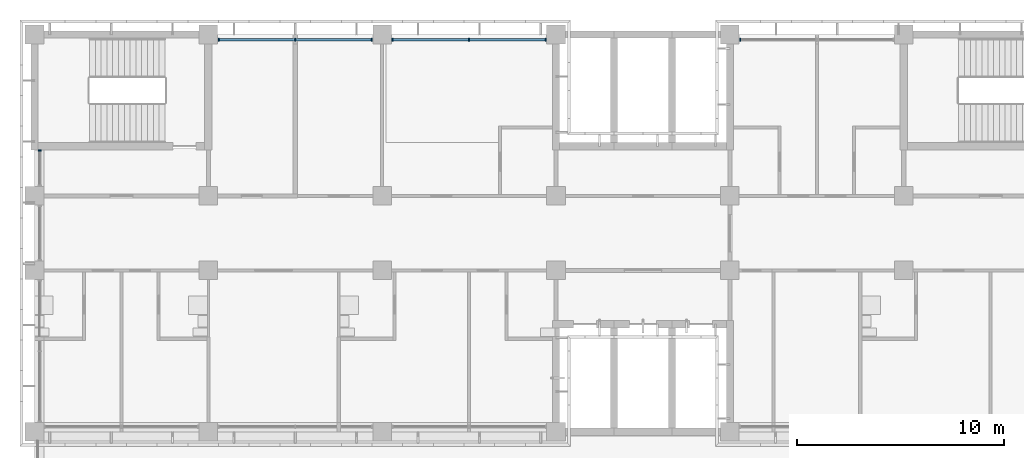
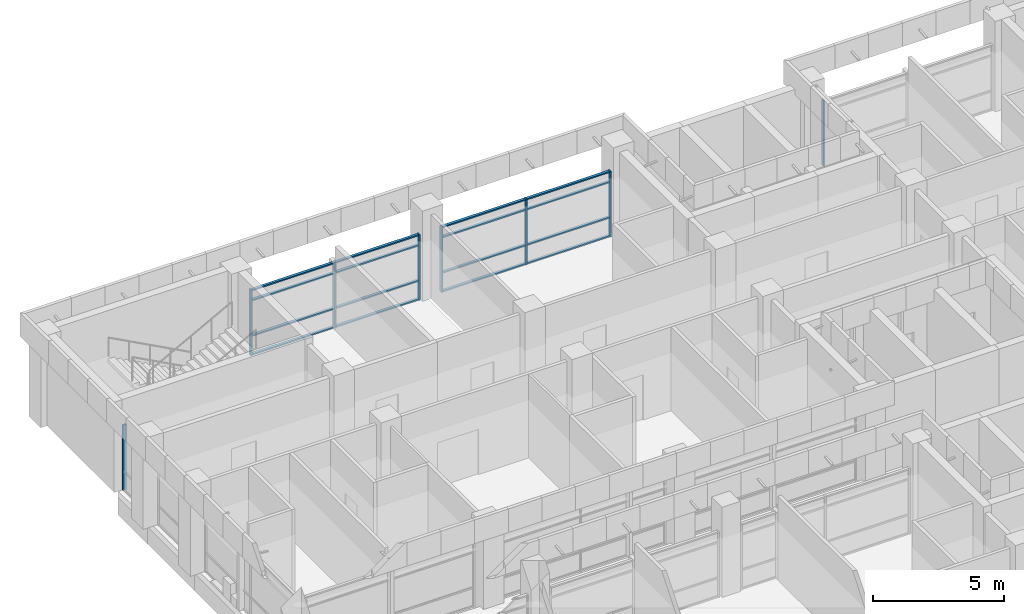
# One storey, part 42 of 137: 24 members, 4 elements without a shape of their own.
"""IFC4 building model written with IfcOpenShell, lengths in metres."""

from ifc_helpers import new_model, si_unit, direction, frame, origin, origin_2d, place, context, subcontext, project, spatial, rectangle, extrude, material, material_profile, profile_set, type_object, element, aggregate, save


model = new_model("IFC4")

# Units and contexts
model_context = context("Model", 3, precision=1e-05, world=origin(), true_north=direction((0.0, 1.0)))
body_context = subcontext(model_context, "Body", "Model", "MODEL_VIEW")
ifc_project = project(units=[si_unit("LENGTHUNIT", "METRE"), si_unit("AREAUNIT", "SQUARE_METRE"), si_unit("VOLUMEUNIT", "CUBIC_METRE"), si_unit("PLANEANGLEUNIT", "RADIAN"), si_unit("MASSUNIT", "GRAM", prefix="KILO")], contexts=[model_context])

# Site, building, storey
site_placement = place(None, origin())
site = spatial("IfcSite", under=ifc_project, at=site_placement, CompositionType="ELEMENT")
building_placement = place(site_placement, origin())
building = spatial("IfcBuilding", under=site, at=building_placement, Name="Bougainvillea Quay General Hospital", CompositionType="ELEMENT")
storey_placement = place(building_placement, frame((0.0, 0.0, 16.800048828125)))
storey = spatial("IfcBuildingStorey", under=building, at=storey_placement, Name="L03", CompositionType="ELEMENT", Elevation=16.800048828125)

# Curtain wall, member
ifc_material_1 = material(Name="Aluminium curtain wall system, powder-coated glazed", Category="aluminium")
curtain_wall_type_1 = type_object("IfcCurtainWallType", Name="Unitised curtain wall CW-3730", PredefinedType="NOTDEFINED", material=ifc_material_1)
curtain_wall_1_placement = place(storey_placement, origin())
curtain_wall_1 = element("IfcCurtainWall", 1, at=curtain_wall_1_placement, inside=storey, type_object=curtain_wall_type_1, Name="CW-4200 05", PredefinedType="NOTDEFINED")
ifc_material_2 = material(Name="Aluminium mullion, powder-coated charcoal", Category="aluminium")
ifc_material_profile_1 = material_profile(ifc_material_2, rectangle(XDim=0.159912109375, YDim=0.06005859375, at=origin_2d()))
ifc_profile_set_1 = profile_set([ifc_material_profile_1], Name="Aluminium mullion, powder-coated charcoal")
member_type_1 = type_object("IfcMemberType", Name="Curtain wall mullion 160x60", PredefinedType="MULLION", material=ifc_profile_set_1)
member_1_placement = place(storey_placement, frame((76.10009765625, 159.35009765625, 0.0), z_axis=(0.0, 0.0, 1.0), x_axis=(0.0, -1.0, 0.0)))
member_1 = element("IfcMember", 2, at=member_1_placement, type_object=member_type_1, Name="CW-4200 mullion 3", PredefinedType="MULLION", context=body_context, shape_type="SweptSolid", body=[
    extrude(rectangle(XDim=0.159912109375, YDim=0.06005859375, at=origin_2d()), origin(), (0.0, 0.0, 1.0), 3.050048828125),
])
aggregate(curtain_wall_1, [member_1])

# Curtain wall, members
curtain_wall_2_placement = place(storey_placement, origin())
curtain_wall_2 = element("IfcCurtainWall", 3, at=curtain_wall_2_placement, inside=storey, type_object=curtain_wall_type_1, Name="CW-4200 00", PredefinedType="NOTDEFINED")
member_2_placement = place(storey_placement, frame((66.699951171875, 159.35009765625, 0.0), z_axis=(0.0, 0.0, 1.0), x_axis=(0.0, -1.0, 0.0)))
member_2 = element("IfcMember", 4, at=member_2_placement, type_object=member_type_1, Name="CW-4200 mullion 1", PredefinedType="MULLION", context=body_context, shape_type="SweptSolid", body=[
    extrude(rectangle(XDim=0.159912109375, YDim=0.06005859375, at=origin_2d()), origin(), (0.0, 0.0, 1.0), 3.050048828125),
])
member_3_placement = place(storey_placement, frame((63.0, 159.35009765625, 0.0), z_axis=(0.0, 0.0, 1.0), x_axis=(0.0, -1.0, 0.0)))
member_3 = element("IfcMember", 5, at=member_3_placement, type_object=member_type_1, Name="CW-4200 mullion 2", PredefinedType="MULLION", context=body_context, shape_type="SweptSolid", body=[
    extrude(rectangle(XDim=0.159912109375, YDim=0.06005859375, at=origin_2d()), origin(), (0.0, 0.0, 1.0), 3.050048828125),
])
member_4_placement = place(storey_placement, frame((59.300048828125, 159.35009765625, 0.0), z_axis=(0.0, 0.0, 1.0), x_axis=(0.0, -1.0, 0.0)))
member_4 = element("IfcMember", 6, at=member_4_placement, type_object=member_type_1, Name="CW-4200 mullion 3", PredefinedType="MULLION", context=body_context, shape_type="SweptSolid", body=[
    extrude(rectangle(XDim=0.159912109375, YDim=0.06005859375, at=origin_2d()), origin(), (0.0, 0.0, 1.0), 3.050048828125),
])

curtain_wall_3_placement = place(storey_placement, origin())
curtain_wall_3 = element("IfcCurtainWall", 7, at=curtain_wall_3_placement, inside=storey, type_object=curtain_wall_type_1, Name="CW-4200 01", PredefinedType="NOTDEFINED")
member_5_placement = place(storey_placement, frame((58.300048828125, 159.35009765625, 0.0), z_axis=(0.0, 0.0, 1.0), x_axis=(0.0, -1.0, 0.0)))
member_5 = element("IfcMember", 8, at=member_5_placement, type_object=member_type_1, Name="CW-4200 mullion 1", PredefinedType="MULLION", context=body_context, shape_type="SweptSolid", body=[
    extrude(rectangle(XDim=0.159912109375, YDim=0.06005859375, at=origin_2d()), origin(), (0.0, 0.0, 1.0), 3.050048828125),
])
member_6_placement = place(storey_placement, frame((54.60009765625, 159.35009765625, 0.0), z_axis=(0.0, 0.0, 1.0), x_axis=(0.0, -1.0, 0.0)))
member_6 = element("IfcMember", 9, at=member_6_placement, type_object=member_type_1, Name="CW-4200 mullion 2", PredefinedType="MULLION", context=body_context, shape_type="SweptSolid", body=[
    extrude(rectangle(XDim=0.159912109375, YDim=0.06005859375, at=origin_2d()), origin(), (0.0, 0.0, 1.0), 3.050048828125),
])
member_7_placement = place(storey_placement, frame((50.89990234375, 159.35009765625, 0.0), z_axis=(0.0, 0.0, 1.0), x_axis=(0.0, -1.0, 0.0)))
member_7 = element("IfcMember", 10, at=member_7_placement, type_object=member_type_1, Name="CW-4200 mullion 3", PredefinedType="MULLION", context=body_context, shape_type="SweptSolid", body=[
    extrude(rectangle(XDim=0.159912109375, YDim=0.06005859375, at=origin_2d()), origin(), (0.0, 0.0, 1.0), 3.050048828125),
])

# Curtain wall, member
curtain_wall_type_2 = type_object("IfcCurtainWallType", Name="Unitised curtain wall CW-1755", PredefinedType="NOTDEFINED", material=ifc_material_1)
curtain_wall_4_placement = place(storey_placement, origin())
curtain_wall_4 = element("IfcCurtainWall", 11, at=curtain_wall_4_placement, inside=storey, type_object=curtain_wall_type_2, Name="CW-4200 00", PredefinedType="NOTDEFINED")
member_8_placement = place(storey_placement, frame((42.25, 153.9951171875, 0.0), z_axis=(0.0, 0.0, 1.0), x_axis=(1.0, 0.0, 0.0)))
member_8 = element("IfcMember", 12, at=member_8_placement, type_object=member_type_1, Name="CW-4200 mullion 1", PredefinedType="MULLION", context=body_context, shape_type="SweptSolid", body=[
    extrude(rectangle(XDim=0.159912109375, YDim=0.06005859375, at=origin_2d()), origin(), (0.0, 0.0, 1.0), 3.050048828125),
])
aggregate(curtain_wall_4, [member_8])

# Member
ifc_material_3 = material(Name="Aluminium transom, powder-coated charcoal", Category="aluminium")
ifc_material_profile_2 = material_profile(ifc_material_3, rectangle(XDim=0.1201171875, YDim=0.06005859375, at=origin_2d()))
ifc_profile_set_2 = profile_set([ifc_material_profile_2], Name="Aluminium transom, powder-coated charcoal")
member_type_2 = type_object("IfcMemberType", Name="Curtain wall transom 120x60", PredefinedType="USERDEFINED", material=ifc_profile_set_2)
member_9_placement = place(storey_placement, frame((66.669921875, 159.35009765625, 0.030029296875), z_axis=(-1.0, 0.0, 0.0), x_axis=(0.0, -1.0, 0.0)))
member_9 = element("IfcMember", 13, at=member_9_placement, type_object=member_type_2, Name="CW-4200 transom 1.1", ObjectType="TRANSOM", PredefinedType="USERDEFINED", context=body_context, shape_type="SweptSolid", body=[
    extrude(rectangle(XDim=0.1201171875, YDim=0.06005859375, at=origin_2d()), origin(), (0.0, 0.0, 1.0), 3.639892578125),
])

member_10_placement = place(storey_placement, frame((66.669921875, 159.35009765625, 0.89990234375), z_axis=(-1.0, 0.0, 0.0), x_axis=(0.0, -1.0, 0.0)))
member_10 = element("IfcMember", 14, at=member_10_placement, type_object=member_type_2, Name="CW-4200 transom 1.2", ObjectType="TRANSOM", PredefinedType="USERDEFINED", context=body_context, shape_type="SweptSolid", body=[
    extrude(rectangle(XDim=0.1201171875, YDim=0.06005859375, at=origin_2d()), origin(), (0.0, 0.0, 1.0), 3.639892578125),
])

member_11_placement = place(storey_placement, frame((66.669921875, 159.35009765625, 2.550048828125), z_axis=(-1.0, 0.0, 0.0), x_axis=(0.0, -1.0, 0.0)))
member_11 = element("IfcMember", 15, at=member_11_placement, type_object=member_type_2, Name="CW-4200 transom 1.3", ObjectType="TRANSOM", PredefinedType="USERDEFINED", context=body_context, shape_type="SweptSolid", body=[
    extrude(rectangle(XDim=0.1201171875, YDim=0.06005859375, at=origin_2d()), origin(), (0.0, 0.0, 1.0), 3.639892578125),
])

member_12_placement = place(storey_placement, frame((66.669921875, 159.35009765625, 3.02001953125), z_axis=(-1.0, 0.0, 0.0), x_axis=(0.0, -1.0, 0.0)))
member_12 = element("IfcMember", 16, at=member_12_placement, type_object=member_type_2, Name="CW-4200 transom 1.4", ObjectType="TRANSOM", PredefinedType="USERDEFINED", context=body_context, shape_type="SweptSolid", body=[
    extrude(rectangle(XDim=0.1201171875, YDim=0.06005859375, at=origin_2d()), origin(), (0.0, 0.0, 1.0), 3.639892578125),
])

member_13_placement = place(storey_placement, frame((62.969970703125, 159.35009765625, 0.030029296875), z_axis=(-1.0, 0.0, 0.0), x_axis=(0.0, -1.0, 0.0)))
member_13 = element("IfcMember", 17, at=member_13_placement, type_object=member_type_2, Name="CW-4200 transom 2.1", ObjectType="TRANSOM", PredefinedType="USERDEFINED", context=body_context, shape_type="SweptSolid", body=[
    extrude(rectangle(XDim=0.1201171875, YDim=0.06005859375, at=origin_2d()), origin(), (0.0, 0.0, 1.0), 3.639892578125),
])

member_14_placement = place(storey_placement, frame((62.969970703125, 159.35009765625, 0.89990234375), z_axis=(-1.0, 0.0, 0.0), x_axis=(0.0, -1.0, 0.0)))
member_14 = element("IfcMember", 18, at=member_14_placement, type_object=member_type_2, Name="CW-4200 transom 2.2", ObjectType="TRANSOM", PredefinedType="USERDEFINED", context=body_context, shape_type="SweptSolid", body=[
    extrude(rectangle(XDim=0.1201171875, YDim=0.06005859375, at=origin_2d()), origin(), (0.0, 0.0, 1.0), 3.639892578125),
])

member_15_placement = place(storey_placement, frame((62.969970703125, 159.35009765625, 2.550048828125), z_axis=(-1.0, 0.0, 0.0), x_axis=(0.0, -1.0, 0.0)))
member_15 = element("IfcMember", 19, at=member_15_placement, type_object=member_type_2, Name="CW-4200 transom 2.3", ObjectType="TRANSOM", PredefinedType="USERDEFINED", context=body_context, shape_type="SweptSolid", body=[
    extrude(rectangle(XDim=0.1201171875, YDim=0.06005859375, at=origin_2d()), origin(), (0.0, 0.0, 1.0), 3.639892578125),
])

member_16_placement = place(storey_placement, frame((62.969970703125, 159.35009765625, 3.02001953125), z_axis=(-1.0, 0.0, 0.0), x_axis=(0.0, -1.0, 0.0)))
member_16 = element("IfcMember", 20, at=member_16_placement, type_object=member_type_2, Name="CW-4200 transom 2.4", ObjectType="TRANSOM", PredefinedType="USERDEFINED", context=body_context, shape_type="SweptSolid", body=[
    extrude(rectangle(XDim=0.1201171875, YDim=0.06005859375, at=origin_2d()), origin(), (0.0, 0.0, 1.0), 3.639892578125),
])

aggregate(curtain_wall_2, [member_2, member_3, member_4, member_9, member_10, member_11, member_12, member_13, member_14, member_15, member_16])

member_17_placement = place(storey_placement, frame((58.27001953125, 159.35009765625, 0.030029296875), z_axis=(-1.0, 0.0, 0.0), x_axis=(0.0, -1.0, 0.0)))
member_17 = element("IfcMember", 21, at=member_17_placement, type_object=member_type_2, Name="CW-4200 transom 1.1", ObjectType="TRANSOM", PredefinedType="USERDEFINED", context=body_context, shape_type="SweptSolid", body=[
    extrude(rectangle(XDim=0.1201171875, YDim=0.06005859375, at=origin_2d()), origin(), (0.0, 0.0, 1.0), 3.64013671875),
])

member_18_placement = place(storey_placement, frame((58.27001953125, 159.35009765625, 0.89990234375), z_axis=(-1.0, 0.0, 0.0), x_axis=(0.0, -1.0, 0.0)))
member_18 = element("IfcMember", 22, at=member_18_placement, type_object=member_type_2, Name="CW-4200 transom 1.2", ObjectType="TRANSOM", PredefinedType="USERDEFINED", context=body_context, shape_type="SweptSolid", body=[
    extrude(rectangle(XDim=0.1201171875, YDim=0.06005859375, at=origin_2d()), origin(), (0.0, 0.0, 1.0), 3.64013671875),
])

member_19_placement = place(storey_placement, frame((58.27001953125, 159.35009765625, 2.550048828125), z_axis=(-1.0, 0.0, 0.0), x_axis=(0.0, -1.0, 0.0)))
member_19 = element("IfcMember", 23, at=member_19_placement, type_object=member_type_2, Name="CW-4200 transom 1.3", ObjectType="TRANSOM", PredefinedType="USERDEFINED", context=body_context, shape_type="SweptSolid", body=[
    extrude(rectangle(XDim=0.1201171875, YDim=0.06005859375, at=origin_2d()), origin(), (0.0, 0.0, 1.0), 3.64013671875),
])

member_20_placement = place(storey_placement, frame((58.27001953125, 159.35009765625, 3.02001953125), z_axis=(-1.0, 0.0, 0.0), x_axis=(0.0, -1.0, 0.0)))
member_20 = element("IfcMember", 24, at=member_20_placement, type_object=member_type_2, Name="CW-4200 transom 1.4", ObjectType="TRANSOM", PredefinedType="USERDEFINED", context=body_context, shape_type="SweptSolid", body=[
    extrude(rectangle(XDim=0.1201171875, YDim=0.06005859375, at=origin_2d()), origin(), (0.0, 0.0, 1.0), 3.64013671875),
])

member_21_placement = place(storey_placement, frame((54.570068359375, 159.35009765625, 0.030029296875), z_axis=(-1.0, 0.0, 0.0), x_axis=(0.0, -1.0, 0.0)))
member_21 = element("IfcMember", 25, at=member_21_placement, type_object=member_type_2, Name="CW-4200 transom 2.1", ObjectType="TRANSOM", PredefinedType="USERDEFINED", context=body_context, shape_type="SweptSolid", body=[
    extrude(rectangle(XDim=0.1201171875, YDim=0.06005859375, at=origin_2d()), origin(), (0.0, 0.0, 1.0), 3.64013671875),
])

member_22_placement = place(storey_placement, frame((54.570068359375, 159.35009765625, 0.89990234375), z_axis=(-1.0, 0.0, 0.0), x_axis=(0.0, -1.0, 0.0)))
member_22 = element("IfcMember", 26, at=member_22_placement, type_object=member_type_2, Name="CW-4200 transom 2.2", ObjectType="TRANSOM", PredefinedType="USERDEFINED", context=body_context, shape_type="SweptSolid", body=[
    extrude(rectangle(XDim=0.1201171875, YDim=0.06005859375, at=origin_2d()), origin(), (0.0, 0.0, 1.0), 3.64013671875),
])

member_23_placement = place(storey_placement, frame((54.570068359375, 159.35009765625, 2.550048828125), z_axis=(-1.0, 0.0, 0.0), x_axis=(0.0, -1.0, 0.0)))
member_23 = element("IfcMember", 27, at=member_23_placement, type_object=member_type_2, Name="CW-4200 transom 2.3", ObjectType="TRANSOM", PredefinedType="USERDEFINED", context=body_context, shape_type="SweptSolid", body=[
    extrude(rectangle(XDim=0.1201171875, YDim=0.06005859375, at=origin_2d()), origin(), (0.0, 0.0, 1.0), 3.64013671875),
])

member_24_placement = place(storey_placement, frame((54.570068359375, 159.35009765625, 3.02001953125), z_axis=(-1.0, 0.0, 0.0), x_axis=(0.0, -1.0, 0.0)))
member_24 = element("IfcMember", 28, at=member_24_placement, type_object=member_type_2, Name="CW-4200 transom 2.4", ObjectType="TRANSOM", PredefinedType="USERDEFINED", context=body_context, shape_type="SweptSolid", body=[
    extrude(rectangle(XDim=0.1201171875, YDim=0.06005859375, at=origin_2d()), origin(), (0.0, 0.0, 1.0), 3.64013671875),
])

aggregate(curtain_wall_3, [member_5, member_6, member_7, member_17, member_18, member_19, member_20, member_21, member_22, member_23, member_24])

save(model, "model.ifc")
